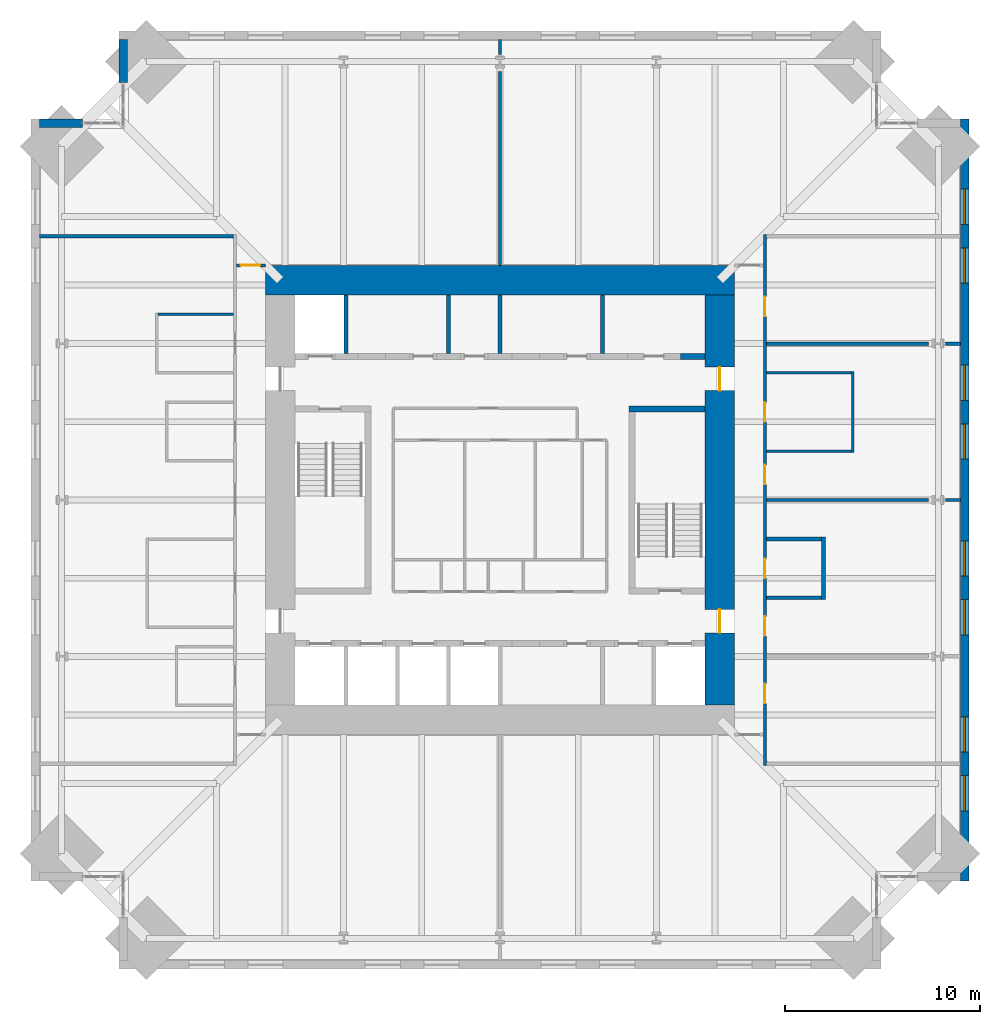
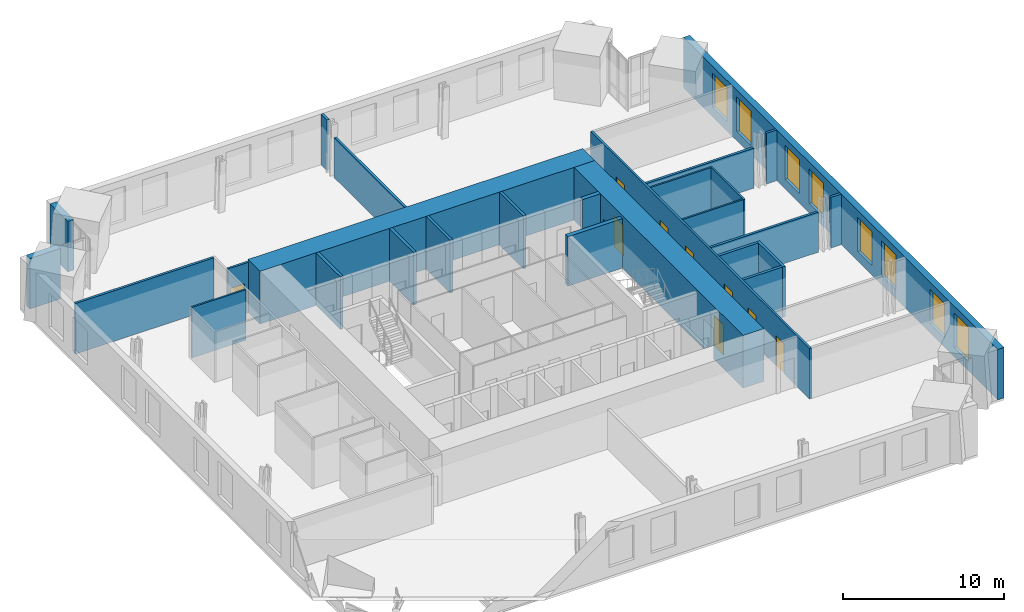
# One storey, part 13 of 15: 27 walls, 9 doors, 8 windows, 17 openings.
"""IFC4 building model written with IfcOpenShell, lengths in metres."""

from ifc_helpers import new_model, si_unit, direction, frame, frame_2d, origin, place, context, subcontext, project, spatial, rectangle, extrude, material, layer, layer_set, type_object, element, fill, save


model = new_model("IFC4")

# Units and contexts
model_context = context("Model", 3, precision=1e-05, world=origin(), true_north=direction((0.0, 1.0)))
body_context = subcontext(model_context, "Body", "Model", "MODEL_VIEW")
ifc_project = project(units=[si_unit("LENGTHUNIT", "METRE"), si_unit("AREAUNIT", "SQUARE_METRE"), si_unit("VOLUMEUNIT", "CUBIC_METRE"), si_unit("PLANEANGLEUNIT", "RADIAN"), si_unit("MASSUNIT", "GRAM", prefix="KILO")], contexts=[model_context])

# Site, building, storey
site_placement = place(None, origin())
site = spatial("IfcSite", under=ifc_project, at=site_placement, CompositionType="ELEMENT")
building_placement = place(site_placement, origin())
building = spatial("IfcBuilding", under=site, at=building_placement, Name="Peilmerk Tower", CompositionType="ELEMENT")
storey_placement = place(building_placement, frame((0.0, 0.0, 209.800048828125)))
storey = spatial("IfcBuildingStorey", under=building, at=storey_placement, Name="L45", CompositionType="ELEMENT", Elevation=209.800048828125)

# Wall, openings, windows
ifc_material_1 = material(Name="Precast concrete C45/55, board-marked finish", Category="concrete")
ifc_layer_1 = layer(ifc_material_1, 0.449951171875)
ifc_layer_set_1 = layer_set([ifc_layer_1], Name="Precast concrete C45/55, board-marked finish")
wall_type_1 = type_object("IfcWallType", Name="EW1 450 precast concrete facade wall, board-marked", PredefinedType="SOLIDWALL", material=ifc_layer_set_1)
wall_1_placement = place(storey_placement, frame((23.77490234375, -19.5, 0.0), z_axis=(0.0, 0.0, 1.0), x_axis=(0.0, 1.0, 0.0)))
wall_1 = element("IfcWall", 1, at=wall_1_placement, inside=storey, type_object=wall_type_1, Name="Facade wall E L45", PredefinedType="SOLIDWALL", context=body_context, shape_type="SweptSolid", body=[
    extrude(rectangle(XDim=39.0, YDim=0.449951171875, at=frame_2d((19.5, 0.0))), origin(), (0.0, 0.0, 1.0), 3.829833984375),
])
opening_1_placement = place(wall_1_placement, frame((3.60009765625, 0.0, 0.699951171875)))
opening_1 = element("IfcOpeningElement", 2, at=opening_1_placement, cuts=wall_1, Name="Opening W1", PredefinedType="OPENING", context=body_context, shape_type="SweptSolid", body=[
    extrude(rectangle(XDim=1.800048828125, YDim=2.60009765625, at=frame_2d((0.89990234375, 1.300048828125))), frame((0.0, 0.23486328125, 0.0), z_axis=(0.0, -1.0, 0.0), x_axis=(1.0, 0.0, 0.0)), (0.0, 0.0, 1.0), 0.469970703125),
])
opening_2_placement = place(wall_1_placement, frame((6.60009765625, 0.0, 0.699951171875)))
opening_2 = element("IfcOpeningElement", 3, at=opening_2_placement, cuts=wall_1, Name="Opening W1", PredefinedType="OPENING", context=body_context, shape_type="SweptSolid", body=[
    extrude(rectangle(XDim=1.800048828125, YDim=2.60009765625, at=frame_2d((0.89990234375, 1.300048828125))), frame((0.0, 0.23486328125, 0.0), z_axis=(0.0, -1.0, 0.0), x_axis=(1.0, 0.0, 0.0)), (0.0, 0.0, 1.0), 0.469970703125),
])
opening_3_placement = place(wall_1_placement, frame((12.60009765625, 0.0, 0.699951171875)))
opening_3 = element("IfcOpeningElement", 4, at=opening_3_placement, cuts=wall_1, Name="Opening W1", PredefinedType="OPENING", context=body_context, shape_type="SweptSolid", body=[
    extrude(rectangle(XDim=1.800048828125, YDim=2.60009765625, at=frame_2d((0.89990234375, 1.300048828125))), frame((0.0, 0.23486328125, 0.0), z_axis=(0.0, -1.0, 0.0), x_axis=(1.0, 0.0, 0.0)), (0.0, 0.0, 1.0), 0.469970703125),
])
opening_4_placement = place(wall_1_placement, frame((15.60009765625, 0.0, 0.699951171875)))
opening_4 = element("IfcOpeningElement", 5, at=opening_4_placement, cuts=wall_1, Name="Opening W1", PredefinedType="OPENING", context=body_context, shape_type="SweptSolid", body=[
    extrude(rectangle(XDim=1.800048828125, YDim=2.60009765625, at=frame_2d((0.89990234375, 1.300048828125))), frame((0.0, 0.23486328125, 0.0), z_axis=(0.0, -1.0, 0.0), x_axis=(1.0, 0.0, 0.0)), (0.0, 0.0, 1.0), 0.469970703125),
])
opening_5_placement = place(wall_1_placement, frame((21.60009765625, 0.0, 0.699951171875)))
opening_5 = element("IfcOpeningElement", 6, at=opening_5_placement, cuts=wall_1, Name="Opening W1", PredefinedType="OPENING", context=body_context, shape_type="SweptSolid", body=[
    extrude(rectangle(XDim=1.800048828125, YDim=2.60009765625, at=frame_2d((0.89990234375, 1.300048828125))), frame((0.0, 0.23486328125, 0.0), z_axis=(0.0, -1.0, 0.0), x_axis=(1.0, 0.0, 0.0)), (0.0, 0.0, 1.0), 0.469970703125),
])
opening_6_placement = place(wall_1_placement, frame((24.60009765625, 0.0, 0.699951171875)))
opening_6 = element("IfcOpeningElement", 7, at=opening_6_placement, cuts=wall_1, Name="Opening W1", PredefinedType="OPENING", context=body_context, shape_type="SweptSolid", body=[
    extrude(rectangle(XDim=1.800048828125, YDim=2.60009765625, at=frame_2d((0.89990234375, 1.300048828125))), frame((0.0, 0.23486328125, 0.0), z_axis=(0.0, -1.0, 0.0), x_axis=(1.0, 0.0, 0.0)), (0.0, 0.0, 1.0), 0.469970703125),
])
opening_7_placement = place(wall_1_placement, frame((30.60009765625, 0.0, 0.699951171875)))
opening_7 = element("IfcOpeningElement", 8, at=opening_7_placement, cuts=wall_1, Name="Opening W1", PredefinedType="OPENING", context=body_context, shape_type="SweptSolid", body=[
    extrude(rectangle(XDim=1.800048828125, YDim=2.60009765625, at=frame_2d((0.89990234375, 1.300048828125))), frame((0.0, 0.23486328125, 0.0), z_axis=(0.0, -1.0, 0.0), x_axis=(1.0, 0.0, 0.0)), (0.0, 0.0, 1.0), 0.469970703125),
])
opening_8_placement = place(wall_1_placement, frame((33.60009765625, 0.0, 0.699951171875)))
opening_8 = element("IfcOpeningElement", 9, at=opening_8_placement, cuts=wall_1, Name="Opening W1", PredefinedType="OPENING", context=body_context, shape_type="SweptSolid", body=[
    extrude(rectangle(XDim=1.800048828125, YDim=2.60009765625, at=frame_2d((0.89990234375, 1.300048828125))), frame((0.0, 0.23486328125, 0.0), z_axis=(0.0, -1.0, 0.0), x_axis=(1.0, 0.0, 0.0)), (0.0, 0.0, 1.0), 0.469970703125),
])
ifc_material_2 = material(Name="Aluminium frame, clear double glazing", Category="aluminium")
window_type = type_object("IfcWindowType", Name="W1 1800x2600 office window", PartitioningType="SINGLE_PANEL", PredefinedType="WINDOW", material=ifc_material_2)
window_1_placement = place(opening_1_placement, origin())
window_1 = element("IfcWindow", 10, at=window_1_placement, inside=storey, type_object=window_type, Name="Window W1 L45", OverallHeight=2.60009765625, OverallWidth=1.800048828125, PartitioningType="SINGLE_PANEL", PredefinedType="WINDOW", context=body_context, shape_type="SweptSolid", body=[
    extrude(rectangle(XDim=1.800048828125, YDim=2.60009765625, at=frame_2d((0.89990234375, 1.300048828125))), frame((0.0, 0.030029296875, 0.0), z_axis=(0.0, -1.0, 0.0), x_axis=(1.0, 0.0, 0.0)), (0.0, 0.0, 1.0), 0.06005859375),
])
fill(opening_1, window_1)
window_2_placement = place(opening_2_placement, origin())
window_2 = element("IfcWindow", 11, at=window_2_placement, inside=storey, type_object=window_type, Name="Window W1 L45", OverallHeight=2.60009765625, OverallWidth=1.800048828125, PartitioningType="SINGLE_PANEL", PredefinedType="WINDOW", context=body_context, shape_type="SweptSolid", body=[
    extrude(rectangle(XDim=1.800048828125, YDim=2.60009765625, at=frame_2d((0.89990234375, 1.300048828125))), frame((0.0, 0.030029296875, 0.0), z_axis=(0.0, -1.0, 0.0), x_axis=(1.0, 0.0, 0.0)), (0.0, 0.0, 1.0), 0.06005859375),
])
fill(opening_2, window_2)
window_3_placement = place(opening_3_placement, origin())
window_3 = element("IfcWindow", 12, at=window_3_placement, inside=storey, type_object=window_type, Name="Window W1 L45", OverallHeight=2.60009765625, OverallWidth=1.800048828125, PartitioningType="SINGLE_PANEL", PredefinedType="WINDOW", context=body_context, shape_type="SweptSolid", body=[
    extrude(rectangle(XDim=1.800048828125, YDim=2.60009765625, at=frame_2d((0.89990234375, 1.300048828125))), frame((0.0, 0.030029296875, 0.0), z_axis=(0.0, -1.0, 0.0), x_axis=(1.0, 0.0, 0.0)), (0.0, 0.0, 1.0), 0.06005859375),
])
fill(opening_3, window_3)
window_4_placement = place(opening_4_placement, origin())
window_4 = element("IfcWindow", 13, at=window_4_placement, inside=storey, type_object=window_type, Name="Window W1 L45", OverallHeight=2.60009765625, OverallWidth=1.800048828125, PartitioningType="SINGLE_PANEL", PredefinedType="WINDOW", context=body_context, shape_type="SweptSolid", body=[
    extrude(rectangle(XDim=1.800048828125, YDim=2.60009765625, at=frame_2d((0.89990234375, 1.300048828125))), frame((0.0, 0.030029296875, 0.0), z_axis=(0.0, -1.0, 0.0), x_axis=(1.0, 0.0, 0.0)), (0.0, 0.0, 1.0), 0.06005859375),
])
fill(opening_4, window_4)
window_5_placement = place(opening_5_placement, origin())
window_5 = element("IfcWindow", 14, at=window_5_placement, inside=storey, type_object=window_type, Name="Window W1 L45", OverallHeight=2.60009765625, OverallWidth=1.800048828125, PartitioningType="SINGLE_PANEL", PredefinedType="WINDOW", context=body_context, shape_type="SweptSolid", body=[
    extrude(rectangle(XDim=1.800048828125, YDim=2.60009765625, at=frame_2d((0.89990234375, 1.300048828125))), frame((0.0, 0.030029296875, 0.0), z_axis=(0.0, -1.0, 0.0), x_axis=(1.0, 0.0, 0.0)), (0.0, 0.0, 1.0), 0.06005859375),
])
fill(opening_5, window_5)
window_6_placement = place(opening_6_placement, origin())
window_6 = element("IfcWindow", 15, at=window_6_placement, inside=storey, type_object=window_type, Name="Window W1 L45", OverallHeight=2.60009765625, OverallWidth=1.800048828125, PartitioningType="SINGLE_PANEL", PredefinedType="WINDOW", context=body_context, shape_type="SweptSolid", body=[
    extrude(rectangle(XDim=1.800048828125, YDim=2.60009765625, at=frame_2d((0.89990234375, 1.300048828125))), frame((0.0, 0.030029296875, 0.0), z_axis=(0.0, -1.0, 0.0), x_axis=(1.0, 0.0, 0.0)), (0.0, 0.0, 1.0), 0.06005859375),
])
fill(opening_6, window_6)
window_7_placement = place(opening_7_placement, origin())
window_7 = element("IfcWindow", 16, at=window_7_placement, inside=storey, type_object=window_type, Name="Window W1 L45", OverallHeight=2.60009765625, OverallWidth=1.800048828125, PartitioningType="SINGLE_PANEL", PredefinedType="WINDOW", context=body_context, shape_type="SweptSolid", body=[
    extrude(rectangle(XDim=1.800048828125, YDim=2.60009765625, at=frame_2d((0.89990234375, 1.300048828125))), frame((0.0, 0.030029296875, 0.0), z_axis=(0.0, -1.0, 0.0), x_axis=(1.0, 0.0, 0.0)), (0.0, 0.0, 1.0), 0.06005859375),
])
fill(opening_7, window_7)
window_8_placement = place(opening_8_placement, origin())
window_8 = element("IfcWindow", 17, at=window_8_placement, inside=storey, type_object=window_type, Name="Window W1 L45", OverallHeight=2.60009765625, OverallWidth=1.800048828125, PartitioningType="SINGLE_PANEL", PredefinedType="WINDOW", context=body_context, shape_type="SweptSolid", body=[
    extrude(rectangle(XDim=1.800048828125, YDim=2.60009765625, at=frame_2d((0.89990234375, 1.300048828125))), frame((0.0, 0.030029296875, 0.0), z_axis=(0.0, -1.0, 0.0), x_axis=(1.0, 0.0, 0.0)), (0.0, 0.0, 1.0), 0.06005859375),
])
fill(opening_8, window_8)

# Walls
for number, where, z_axis, x_axis, name in (
    (18, (-19.27490234375, 21.353759765625, 0.0), (0.0, 0.0, 1.0), (0.0, 1.0, 0.0), "Facade wall NWA L45"),
    (19, (-21.353759765625, 19.27490234375, 0.0), (0.0, 0.0, 1.0), (-1.0, 0.0, 0.0), "Facade wall NWB L45"),
):
    element("IfcWall", number, at=place(storey_placement, frame(where, z_axis=z_axis, x_axis=x_axis)), inside=storey, type_object=wall_type_1, Name=name, PredefinedType="SOLIDWALL", context=body_context, shape_type="SweptSolid", body=[
        extrude(rectangle(XDim=2.1962890625, YDim=0.449951171875, at=frame_2d((1.09814453125, 0.0))), origin(), (0.0, 0.0, 1.0), 3.829833984375),
    ])

# Wall, openings, doors
ifc_material_3 = material(Name="Calcium silicate block", Category="masonry")
ifc_layer_2 = layer(ifc_material_3, 0.14990234375)
ifc_layer_set_2 = layer_set([ifc_layer_2], Name="Calcium silicate block")
wall_type_2 = type_object("IfcWallType", Name="IW1 150 corridor partition, EI 60", PredefinedType="PARTITIONING", material=ifc_layer_set_2)
wall_2_placement = place(storey_placement, frame((13.550048828125, -13.574951171875, 0.0), z_axis=(0.0, 0.0, 1.0), x_axis=(0.0, 1.0, 0.0)))
wall_2 = element("IfcWall", 20, at=wall_2_placement, inside=storey, type_object=wall_type_2, Name="Corridor wall E L45", PredefinedType="PARTITIONING", context=body_context, shape_type="SweptSolid", body=[
    extrude(rectangle(XDim=27.14990234375, YDim=0.14990234375, at=frame_2d((13.574951171875, 0.0))), origin(), (0.0, 0.0, 1.0), 3.829833984375),
])
opening_9_placement = place(wall_2_placement, frame((3.175048828125, 0.0, 0.0)))
opening_9 = element("IfcOpeningElement", 21, at=opening_9_placement, cuts=wall_2, Name="Opening D1", PredefinedType="OPENING", context=body_context, shape_type="SweptSolid", body=[
    extrude(rectangle(XDim=1.0, YDim=2.300048828125, at=frame_2d((0.5, 1.14990234375))), frame((0.0, 0.0849609375, 0.0), z_axis=(0.0, -1.0, 0.0), x_axis=(1.0, 0.0, 0.0)), (0.0, 0.0, 1.0), 0.169921875),
])
opening_10_placement = place(wall_2_placement, frame((6.625, 0.0, 0.0)))
opening_10 = element("IfcOpeningElement", 22, at=opening_10_placement, cuts=wall_2, Name="Opening D1", PredefinedType="OPENING", context=body_context, shape_type="SweptSolid", body=[
    extrude(rectangle(XDim=1.0, YDim=2.300048828125, at=frame_2d((0.5, 1.14990234375))), frame((0.0, 0.0849609375, 0.0), z_axis=(0.0, -1.0, 0.0), x_axis=(1.0, 0.0, 0.0)), (0.0, 0.0, 1.0), 0.169921875),
])
opening_11_placement = place(wall_2_placement, frame((14.375, 0.0, 0.0)))
opening_11 = element("IfcOpeningElement", 23, at=opening_11_placement, cuts=wall_2, Name="Opening D1", PredefinedType="OPENING", context=body_context, shape_type="SweptSolid", body=[
    extrude(rectangle(XDim=1.0, YDim=2.300048828125, at=frame_2d((0.5, 1.14990234375))), frame((0.0, 0.0849609375, 0.0), z_axis=(0.0, -1.0, 0.0), x_axis=(1.0, 0.0, 0.0)), (0.0, 0.0, 1.0), 0.169921875),
])
opening_12_placement = place(wall_2_placement, frame((22.97509765625, 0.0, 0.0)))
opening_12 = element("IfcOpeningElement", 24, at=opening_12_placement, cuts=wall_2, Name="Opening D1", PredefinedType="OPENING", context=body_context, shape_type="SweptSolid", body=[
    extrude(rectangle(XDim=1.0, YDim=2.300048828125, at=frame_2d((0.5, 1.14990234375))), frame((0.0, 0.0849609375, 0.0), z_axis=(0.0, -1.0, 0.0), x_axis=(1.0, 0.0, 0.0)), (0.0, 0.0, 1.0), 0.169921875),
])
opening_13_placement = place(wall_2_placement, frame((9.574951171875, 0.0, 0.0)))
opening_13 = element("IfcOpeningElement", 25, at=opening_13_placement, cuts=wall_2, Name="Opening D1", PredefinedType="OPENING", context=body_context, shape_type="SweptSolid", body=[
    extrude(rectangle(XDim=1.0, YDim=2.300048828125, at=frame_2d((0.5, 1.14990234375))), frame((0.0, 0.0849609375, 0.0), z_axis=(0.0, -1.0, 0.0), x_axis=(1.0, 0.0, 0.0)), (0.0, 0.0, 1.0), 0.169921875),
])
opening_14_placement = place(wall_2_placement, frame((17.574951171875, 0.0, 0.0)))
opening_14 = element("IfcOpeningElement", 26, at=opening_14_placement, cuts=wall_2, Name="Opening D1", PredefinedType="OPENING", context=body_context, shape_type="SweptSolid", body=[
    extrude(rectangle(XDim=1.0, YDim=2.300048828125, at=frame_2d((0.5, 1.14990234375))), frame((0.0, 0.0849609375, 0.0), z_axis=(0.0, -1.0, 0.0), x_axis=(1.0, 0.0, 0.0)), (0.0, 0.0, 1.0), 0.169921875),
])
ifc_material_4 = material(Name="Timber door in steel frame", Category="steel")
door_type_1 = type_object("IfcDoorType", Name="D1 1000x2300 room door, EI2 30", OperationType="SINGLE_SWING_LEFT", PredefinedType="DOOR", material=ifc_material_4)
door_1_placement = place(opening_9_placement, frame((1.0, 0.0, 0.0), z_axis=(0.0, 0.0, 1.0), x_axis=(-1.0, 0.0, 0.0)))
door_1 = element("IfcDoor", 27, at=door_1_placement, inside=storey, type_object=door_type_1, Name="Door Project room L45", OperationType="SINGLE_SWING_LEFT", OverallHeight=2.300048828125, OverallWidth=1.0, PredefinedType="DOOR", context=body_context, shape_type="SweptSolid", body=[
    extrude(rectangle(XDim=1.0, YDim=2.300048828125, at=frame_2d((0.5, 1.14990234375))), frame((0.0, 0.02490234375, 0.0), z_axis=(0.0, -1.0, 0.0), x_axis=(1.0, 0.0, 0.0)), (0.0, 0.0, 1.0), 0.050048828125),
])
fill(opening_9, door_1)
door_2_placement = place(opening_10_placement, frame((1.0, 0.0, 0.0), z_axis=(0.0, 0.0, 1.0), x_axis=(-1.0, 0.0, 0.0)))
door_2 = element("IfcDoor", 28, at=door_2_placement, inside=storey, type_object=door_type_1, Name="Door Office L45", OperationType="SINGLE_SWING_LEFT", OverallHeight=2.300048828125, OverallWidth=1.0, PredefinedType="DOOR", context=body_context, shape_type="SweptSolid", body=[
    extrude(rectangle(XDim=1.0, YDim=2.300048828125, at=frame_2d((0.5, 1.14990234375))), frame((0.0, 0.02490234375, 0.0), z_axis=(0.0, -1.0, 0.0), x_axis=(1.0, 0.0, 0.0)), (0.0, 0.0, 1.0), 0.050048828125),
])
fill(opening_10, door_2)
door_3_placement = place(opening_11_placement, frame((1.0, 0.0, 0.0), z_axis=(0.0, 0.0, 1.0), x_axis=(-1.0, 0.0, 0.0)))
door_3 = element("IfcDoor", 29, at=door_3_placement, inside=storey, type_object=door_type_1, Name="Door Office L45", OperationType="SINGLE_SWING_LEFT", OverallHeight=2.300048828125, OverallWidth=1.0, PredefinedType="DOOR", context=body_context, shape_type="SweptSolid", body=[
    extrude(rectangle(XDim=1.0, YDim=2.300048828125, at=frame_2d((0.5, 1.14990234375))), frame((0.0, 0.02490234375, 0.0), z_axis=(0.0, -1.0, 0.0), x_axis=(1.0, 0.0, 0.0)), (0.0, 0.0, 1.0), 0.050048828125),
])
fill(opening_11, door_3)
door_4_placement = place(opening_12_placement, frame((1.0, 0.0, 0.0), z_axis=(0.0, 0.0, 1.0), x_axis=(-1.0, 0.0, 0.0)))
door_4 = element("IfcDoor", 30, at=door_4_placement, inside=storey, type_object=door_type_1, Name="Door Wellness room L45", OperationType="SINGLE_SWING_LEFT", OverallHeight=2.300048828125, OverallWidth=1.0, PredefinedType="DOOR", context=body_context, shape_type="SweptSolid", body=[
    extrude(rectangle(XDim=1.0, YDim=2.300048828125, at=frame_2d((0.5, 1.14990234375))), frame((0.0, 0.02490234375, 0.0), z_axis=(0.0, -1.0, 0.0), x_axis=(1.0, 0.0, 0.0)), (0.0, 0.0, 1.0), 0.050048828125),
])
fill(opening_12, door_4)
door_5_placement = place(opening_13_placement, frame((1.0, 0.0, 0.0), z_axis=(0.0, 0.0, 1.0), x_axis=(-1.0, 0.0, 0.0)))
door_5 = element("IfcDoor", 31, at=door_5_placement, inside=storey, type_object=door_type_1, Name="Door Print room L45", OperationType="SINGLE_SWING_LEFT", OverallHeight=2.300048828125, OverallWidth=1.0, PredefinedType="DOOR", context=body_context, shape_type="SweptSolid", body=[
    extrude(rectangle(XDim=1.0, YDim=2.300048828125, at=frame_2d((0.5, 1.14990234375))), frame((0.0, 0.02490234375, 0.0), z_axis=(0.0, -1.0, 0.0), x_axis=(1.0, 0.0, 0.0)), (0.0, 0.0, 1.0), 0.050048828125),
])
fill(opening_13, door_5)
door_6_placement = place(opening_14_placement, frame((1.0, 0.0, 0.0), z_axis=(0.0, 0.0, 1.0), x_axis=(-1.0, 0.0, 0.0)))
door_6 = element("IfcDoor", 32, at=door_6_placement, inside=storey, type_object=door_type_1, Name="Door Meeting room L45", OperationType="SINGLE_SWING_LEFT", OverallHeight=2.300048828125, OverallWidth=1.0, PredefinedType="DOOR", context=body_context, shape_type="SweptSolid", body=[
    extrude(rectangle(XDim=1.0, YDim=2.300048828125, at=frame_2d((0.5, 1.14990234375))), frame((0.0, 0.02490234375, 0.0), z_axis=(0.0, -1.0, 0.0), x_axis=(1.0, 0.0, 0.0)), (0.0, 0.0, 1.0), 0.050048828125),
])
fill(opening_14, door_6)

# Wall, opening, door
wall_3_placement = place(storey_placement, frame((-13.47509765625, 12.0, 0.0), z_axis=(0.0, 0.0, 1.0), x_axis=(1.0, 0.0, 0.0)))
wall_3 = element("IfcWall", 33, at=wall_3_placement, inside=storey, type_object=wall_type_2, Name="Corridor wall NW L45", PredefinedType="PARTITIONING", context=body_context, shape_type="SweptSolid", body=[
    extrude(rectangle(XDim=1.47509765625, YDim=0.14990234375, at=frame_2d((0.737548828125, 0.0))), origin(), (0.0, 0.0, 1.0), 3.829833984375),
])
opening_15_placement = place(wall_3_placement, frame((0.199951171875, 0.0, 0.0)))
opening_15 = element("IfcOpeningElement", 34, at=opening_15_placement, cuts=wall_3, Name="Opening D1", PredefinedType="OPENING", context=body_context, shape_type="SweptSolid", body=[
    extrude(rectangle(XDim=1.0, YDim=2.300048828125, at=frame_2d((0.5, 1.14990234375))), frame((0.0, 0.0849609375, 0.0), z_axis=(0.0, -1.0, 0.0), x_axis=(1.0, 0.0, 0.0)), (0.0, 0.0, 1.0), 0.169921875),
])
door_7_placement = place(opening_15_placement, origin())
door_7 = element("IfcDoor", 35, at=door_7_placement, inside=storey, type_object=door_type_1, Name="Door Open workspace L45", OperationType="SINGLE_SWING_LEFT", OverallHeight=2.300048828125, OverallWidth=1.0, PredefinedType="DOOR", context=body_context, shape_type="SweptSolid", body=[
    extrude(rectangle(XDim=1.0, YDim=2.300048828125, at=frame_2d((0.5, 1.14990234375))), frame((0.0, 0.02490234375, 0.0), z_axis=(0.0, -1.0, 0.0), x_axis=(1.0, 0.0, 0.0)), (0.0, 0.0, 1.0), 0.050048828125),
])
fill(opening_15, door_7)

# Walls
ifc_layer_3 = layer(ifc_material_3, 0.199951171875)
ifc_layer_set_3 = layer_set([ifc_layer_3], Name="Calcium silicate block")
wall_type_3 = type_object("IfcWallType", Name="IW2 200 room separating wall, EI 120", PredefinedType="PARTITIONING", material=ifc_layer_set_3)
wall_4_placement = place(storey_placement, frame((16.550048828125, -5.10009765625, 0.0), z_axis=(0.0, 0.0, 1.0), x_axis=(0.0, 1.0, 0.0)))
element("IfcWall", 36, at=wall_4_placement, inside=storey, type_object=wall_type_3, Name="Room separating wall Print room L45", PredefinedType="PARTITIONING", context=body_context, shape_type="SweptSolid", body=[
    extrude(rectangle(XDim=3.2001953125, YDim=0.199951171875, at=frame_2d((1.60009765625, 0.0))), origin(), (0.0, 0.0, 1.0), 3.829833984375),
])
for number, where, z_axis, x_axis, name in (
    (37, (13.625, -5.0, 0.0), (0.0, 0.0, 1.0), (1.0, 0.0, 0.0), "Room separating wall Print room L45"),
    (38, (13.625, -2.0, 0.0), (0.0, 0.0, 1.0), (1.0, 0.0, 0.0), "Room separating wall Print room L45"),
):
    element("IfcWall", number, at=place(storey_placement, frame(where, z_axis=z_axis, x_axis=x_axis)), inside=storey, type_object=wall_type_3, Name=name, PredefinedType="PARTITIONING", context=body_context, shape_type="SweptSolid", body=[
        extrude(rectangle(XDim=2.824951171875, YDim=0.199951171875, at=frame_2d((1.41259765625, 0.0))), origin(), (0.0, 0.0, 1.0), 3.829833984375),
    ])
ifc_material_5 = material(Name="Concrete C35/45", Category="concrete")
ifc_layer_4 = layer(ifc_material_5, 0.300048828125)
ifc_layer_set_4 = layer_set([ifc_layer_4], Name="Concrete C35/45")
wall_type_4 = type_object("IfcWallType", Name="IW3 300 concrete stair enclosure wall, EI 120", PredefinedType="SOLIDWALL", material=ifc_layer_set_4)
wall_5_placement = place(storey_placement, frame((6.60009765625, 4.64990234375, 0.0), z_axis=(0.0, 0.0, 1.0), x_axis=(1.0, 0.0, 0.0)))
element("IfcWall", 39, at=wall_5_placement, inside=storey, type_object=wall_type_4, Name="Stair 2 enclosure L45", PredefinedType="SOLIDWALL", context=body_context, shape_type="SweptSolid", body=[
    extrude(rectangle(XDim=3.89990234375, YDim=0.300048828125, at=frame_2d((1.949951171875, 0.0))), origin(), (0.0, 0.0, 1.0), 3.75),
])
ifc_material_6 = material(Name="Plasterboard on steel studs, double boarded with mineral wool", Category="steel")
ifc_layer_5 = layer(ifc_material_6, 0.125)
ifc_layer_set_5 = layer_set([ifc_layer_5], Name="Plasterboard on steel studs, double boarded with mineral wool")
wall_type_5 = type_object("IfcWallType", Name="IW7 125 acoustic partition, EI 30", PredefinedType="PARTITIONING", material=ifc_layer_set_5)
wall_6_placement = place(storey_placement, frame((18.050048828125, 2.4375, 0.0), z_axis=(0.0, 0.0, 1.0), x_axis=(0.0, 1.0, 0.0)))
element("IfcWall", 40, at=wall_6_placement, inside=storey, type_object=wall_type_5, Name="Acoustic partition Meeting room L45", PredefinedType="PARTITIONING", context=body_context, shape_type="SweptSolid", body=[
    extrude(rectangle(XDim=4.125, YDim=0.125, at=frame_2d((2.0625, 0.0))), origin(), (0.0, 0.0, 1.0), 3.829833984375),
])
for number, where, z_axis, x_axis, name in (
    (41, (13.625, 2.5, 0.0), (0.0, 0.0, 1.0), (1.0, 0.0, 0.0), "Acoustic partition Meeting room L45"),
    (42, (13.625, 6.5, 0.0), (0.0, 0.0, 1.0), (1.0, 0.0, 0.0), "Acoustic partition Meeting room L45"),
):
    element("IfcWall", number, at=place(storey_placement, frame(where, z_axis=z_axis, x_axis=x_axis)), inside=storey, type_object=wall_type_5, Name=name, PredefinedType="PARTITIONING", context=body_context, shape_type="SweptSolid", body=[
        extrude(rectangle(XDim=4.362548828125, YDim=0.125, at=frame_2d((2.18115234375, 0.0))), origin(), (0.0, 0.0, 1.0), 3.829833984375),
    ])
wall_7_placement = place(storey_placement, frame((-13.625, 9.5, 0.0), z_axis=(0.0, 0.0, 1.0), x_axis=(-1.0, 0.0, 0.0)))
element("IfcWall", 43, at=wall_7_placement, inside=storey, type_object=wall_type_5, Name="Acoustic partition Pantry L45", PredefinedType="PARTITIONING", context=body_context, shape_type="SweptSolid", body=[
    extrude(rectangle(XDim=3.862548828125, YDim=0.125, at=frame_2d((1.93115234375, 0.0))), origin(), (0.0, 0.0, 1.0), 3.829833984375),
])
ifc_layer_6 = layer(ifc_material_3, 0.175048828125)
ifc_layer_set_6 = layer_set([ifc_layer_6], Name="Calcium silicate block")
wall_type_6 = type_object("IfcWallType", Name="IW8 175 tenant separating wall, EI 60", PredefinedType="PARTITIONING", material=ifc_layer_set_6)
wall_8_placement = place(storey_placement, frame((-23.550048828125, 13.5, 0.0), z_axis=(0.0, 0.0, 1.0), x_axis=(1.0, 0.0, 0.0)))
element("IfcWall", 44, at=wall_8_placement, inside=storey, type_object=wall_type_6, Name="Tenant separating wall NW L45", PredefinedType="PARTITIONING", context=body_context, shape_type="SweptSolid", body=[
    extrude(rectangle(XDim=9.925048828125, YDim=0.175048828125, at=frame_2d((4.96240234375, 0.0))), origin(), (0.0, 0.0, 1.0), 3.829833984375),
])
wall_9_placement = place(storey_placement, frame((0.0, 12.0, 0.0), z_axis=(0.0, 0.0, 1.0), x_axis=(0.0, 1.0, 0.0)))
element("IfcWall", 45, at=wall_9_placement, inside=storey, type_object=wall_type_6, Name="Tenant separating wall N1 L45", PredefinedType="PARTITIONING", context=body_context, shape_type="SweptSolid", body=[
    extrude(rectangle(XDim=9.911865234375, YDim=0.175048828125, at=frame_2d((4.9560546875, 0.0))), origin(), (0.0, 0.0, 1.0), 3.0400390625),
])
wall_10_placement = place(storey_placement, frame((0.0, 22.801025390625, 0.0), z_axis=(0.0, 0.0, 1.0), x_axis=(0.0, 1.0, 0.0)))
element("IfcWall", 46, at=wall_10_placement, inside=storey, type_object=wall_type_6, Name="Tenant separating wall N1b L45", PredefinedType="PARTITIONING", context=body_context, shape_type="SweptSolid", body=[
    extrude(rectangle(XDim=0.7490234375, YDim=0.175048828125, at=frame_2d((0.37451171875, 0.0))), origin(), (0.0, 0.0, 1.0), 3.829833984375),
])
wall_11_placement = place(storey_placement, frame((13.625, 0.0, 0.0), z_axis=(0.0, 0.0, 1.0), x_axis=(1.0, 0.0, 0.0)))
element("IfcWall", 47, at=wall_11_placement, inside=storey, type_object=wall_type_6, Name="Tenant separating wall E2 L45", PredefinedType="PARTITIONING", context=body_context, shape_type="SweptSolid", body=[
    extrude(rectangle(XDim=8.286865234375, YDim=0.175048828125, at=frame_2d((4.1435546875, 0.0))), origin(), (0.0, 0.0, 1.0), 3.0400390625),
])
wall_12_placement = place(storey_placement, frame((22.801025390625, 0.0, 0.0), z_axis=(0.0, 0.0, 1.0), x_axis=(1.0, 0.0, 0.0)))
element("IfcWall", 48, at=wall_12_placement, inside=storey, type_object=wall_type_6, Name="Tenant separating wall E2b L45", PredefinedType="PARTITIONING", context=body_context, shape_type="SweptSolid", body=[
    extrude(rectangle(XDim=0.7490234375, YDim=0.175048828125, at=frame_2d((0.37451171875, 0.0))), origin(), (0.0, 0.0, 1.0), 3.829833984375),
])
wall_13_placement = place(storey_placement, frame((13.625, 8.0, 0.0), z_axis=(0.0, 0.0, 1.0), x_axis=(1.0, 0.0, 0.0)))
element("IfcWall", 49, at=wall_13_placement, inside=storey, type_object=wall_type_6, Name="Tenant separating wall E3 L45", PredefinedType="PARTITIONING", context=body_context, shape_type="SweptSolid", body=[
    extrude(rectangle(XDim=8.286865234375, YDim=0.175048828125, at=frame_2d((4.1435546875, 0.0))), origin(), (0.0, 0.0, 1.0), 3.0400390625),
])
wall_14_placement = place(storey_placement, frame((22.801025390625, 8.0, 0.0), z_axis=(0.0, 0.0, 1.0), x_axis=(1.0, 0.0, 0.0)))
element("IfcWall", 50, at=wall_14_placement, inside=storey, type_object=wall_type_6, Name="Tenant separating wall E3b L45", PredefinedType="PARTITIONING", context=body_context, shape_type="SweptSolid", body=[
    extrude(rectangle(XDim=0.7490234375, YDim=0.175048828125, at=frame_2d((0.37451171875, 0.0))), origin(), (0.0, 0.0, 1.0), 3.829833984375),
])
ifc_layer_7 = layer(ifc_material_3, 0.199951171875)
ifc_layer_set_7 = layer_set([ifc_layer_7], Name="Calcium silicate block")
wall_type_7 = type_object("IfcWallType", Name="SH1 200 shaft dividing wall, EI 120", PredefinedType="PARTITIONING", material=ifc_layer_set_7)
for number, where, z_axis, x_axis, name in (
    (51, (-7.875, 7.5, 0.0), (0.0, 0.0, 1.0), (0.0, 1.0, 0.0), "Shaft wall N FL1 L45"),
    (52, (-2.625, 7.5, 0.0), (0.0, 0.0, 1.0), (0.0, 1.0, 0.0), "Shaft wall N A2 L45"),
    (53, (0.0, 7.5, 0.0), (0.0, 0.0, 1.0), (0.0, 1.0, 0.0), "Shaft wall N A3 L45"),
    (54, (5.25, 7.5, 0.0), (0.0, 0.0, 1.0), (0.0, 1.0, 0.0), "Shaft wall N S2 L45"),
):
    element("IfcWall", number, at=place(storey_placement, frame(where, z_axis=z_axis, x_axis=x_axis)), inside=storey, type_object=wall_type_7, Name=name, PredefinedType="PARTITIONING", context=body_context, shape_type="SweptSolid", body=[
        extrude(rectangle(XDim=3.0, YDim=0.199951171875, at=frame_2d((1.5, 0.0))), origin(), (0.0, 0.0, 1.0), 4.0),
    ])
ifc_material_7 = material(Name="Concrete C55/67", Category="concrete")
ifc_layer_8 = layer(ifc_material_7, 1.5)
ifc_layer_set_8 = layer_set([ifc_layer_8], Name="Concrete C55/67")
wall_type_8 = type_object("IfcWallType", Name="SW1 1500 core wall", PredefinedType="SHEAR", material=ifc_layer_set_8)
wall_15_placement = place(storey_placement, frame((-12.0, 11.25, 0.0), z_axis=(0.0, 0.0, 1.0), x_axis=(1.0, 0.0, 0.0)))
element("IfcWall", 55, at=wall_15_placement, inside=storey, type_object=wall_type_8, Name="Core wall N L45", PredefinedType="SHEAR", context=body_context, shape_type="SweptSolid", body=[
    extrude(rectangle(XDim=24.0, YDim=1.5, at=frame_2d((12.0, 0.0))), origin(), (0.0, 0.0, 1.0), 4.0),
])

# Wall, openings, doors
wall_16_placement = place(storey_placement, frame((11.25, 10.5, 0.0), z_axis=(0.0, 0.0, 1.0), x_axis=(0.0, -1.0, 0.0)))
wall_16 = element("IfcWall", 56, at=wall_16_placement, inside=storey, type_object=wall_type_8, Name="Core wall E L45", PredefinedType="SHEAR", context=body_context, shape_type="SweptSolid", body=[
    extrude(rectangle(XDim=21.0, YDim=1.5, at=frame_2d((10.5, 0.0))), origin(), (0.0, 0.0, 1.0), 4.0),
])
opening_16_placement = place(wall_16_placement, frame((3.699951171875, 0.0, 0.0)))
opening_16 = element("IfcOpeningElement", 57, at=opening_16_placement, cuts=wall_16, Name="Opening D3", PredefinedType="OPENING", context=body_context, shape_type="SweptSolid", body=[
    extrude(rectangle(XDim=1.199951171875, YDim=2.300048828125, at=frame_2d((0.60009765625, 1.14990234375))), frame((0.0, 0.760009765625, 0.0), z_axis=(0.0, -1.0, 0.0), x_axis=(1.0, 0.0, 0.0)), (0.0, 0.0, 1.0), 1.52001953125),
])
opening_17_placement = place(wall_16_placement, frame((16.10009765625, 0.0, 0.0)))
opening_17 = element("IfcOpeningElement", 58, at=opening_17_placement, cuts=wall_16, Name="Opening D3", PredefinedType="OPENING", context=body_context, shape_type="SweptSolid", body=[
    extrude(rectangle(XDim=1.199951171875, YDim=2.300048828125, at=frame_2d((0.60009765625, 1.14990234375))), frame((0.0, 0.760009765625, 0.0), z_axis=(0.0, -1.0, 0.0), x_axis=(1.0, 0.0, 0.0)), (0.0, 0.0, 1.0), 1.52001953125),
])
ifc_material_8 = material(Name="Steel door in steel frame", Category="steel")
door_type_2 = type_object("IfcDoorType", Name="D3 1200x2300 core door, EI2 60", OperationType="SINGLE_SWING_LEFT", PredefinedType="DOOR", material=ifc_material_8)
door_8_placement = place(opening_16_placement, frame((1.199951171875, 0.0, 0.0), z_axis=(0.0, 0.0, 1.0), x_axis=(-1.0, 0.0, 0.0)))
door_8 = element("IfcDoor", 59, at=door_8_placement, inside=storey, type_object=door_type_2, Name="Core door L45", OperationType="SINGLE_SWING_LEFT", OverallHeight=2.300048828125, OverallWidth=1.199951171875, PredefinedType="DOOR", context=body_context, shape_type="SweptSolid", body=[
    extrude(rectangle(XDim=1.199951171875, YDim=2.300048828125, at=frame_2d((0.60009765625, 1.14990234375))), frame((0.0, 0.02490234375, 0.0), z_axis=(0.0, -1.0, 0.0), x_axis=(1.0, 0.0, 0.0)), (0.0, 0.0, 1.0), 0.050048828125),
])
fill(opening_16, door_8)
door_9_placement = place(opening_17_placement, frame((1.199951171875, 0.0, 0.0), z_axis=(0.0, 0.0, 1.0), x_axis=(-1.0, 0.0, 0.0)))
door_9 = element("IfcDoor", 60, at=door_9_placement, inside=storey, type_object=door_type_2, Name="Core door L45", OperationType="SINGLE_SWING_LEFT", OverallHeight=2.300048828125, OverallWidth=1.199951171875, PredefinedType="DOOR", context=body_context, shape_type="SweptSolid", body=[
    extrude(rectangle(XDim=1.199951171875, YDim=2.300048828125, at=frame_2d((0.60009765625, 1.14990234375))), frame((0.0, 0.02490234375, 0.0), z_axis=(0.0, -1.0, 0.0), x_axis=(1.0, 0.0, 0.0)), (0.0, 0.0, 1.0), 0.050048828125),
])
fill(opening_17, door_9)

# Wall
ifc_layer_9 = layer(ifc_material_7, 0.300048828125)
ifc_layer_set_9 = layer_set([ifc_layer_9], Name="Concrete C55/67")
wall_type_9 = type_object("IfcWallType", Name="SW2 300 lift bank pier", PredefinedType="SHEAR", material=ifc_layer_set_9)
wall_17_placement = place(storey_placement, frame((9.22509765625, 7.35009765625, 0.0), z_axis=(0.0, 0.0, 1.0), x_axis=(1.0, 0.0, 0.0)))
element("IfcWall", 61, at=wall_17_placement, inside=storey, type_object=wall_type_9, Name="Lift bank pier N L45", PredefinedType="SHEAR", context=body_context, shape_type="SweptSolid", body=[
    extrude(rectangle(XDim=1.27490234375, YDim=0.300048828125, at=frame_2d((0.637451171875, 0.0))), origin(), (0.0, 0.0, 1.0), 4.0),
])

save(model, "model.ifc")
